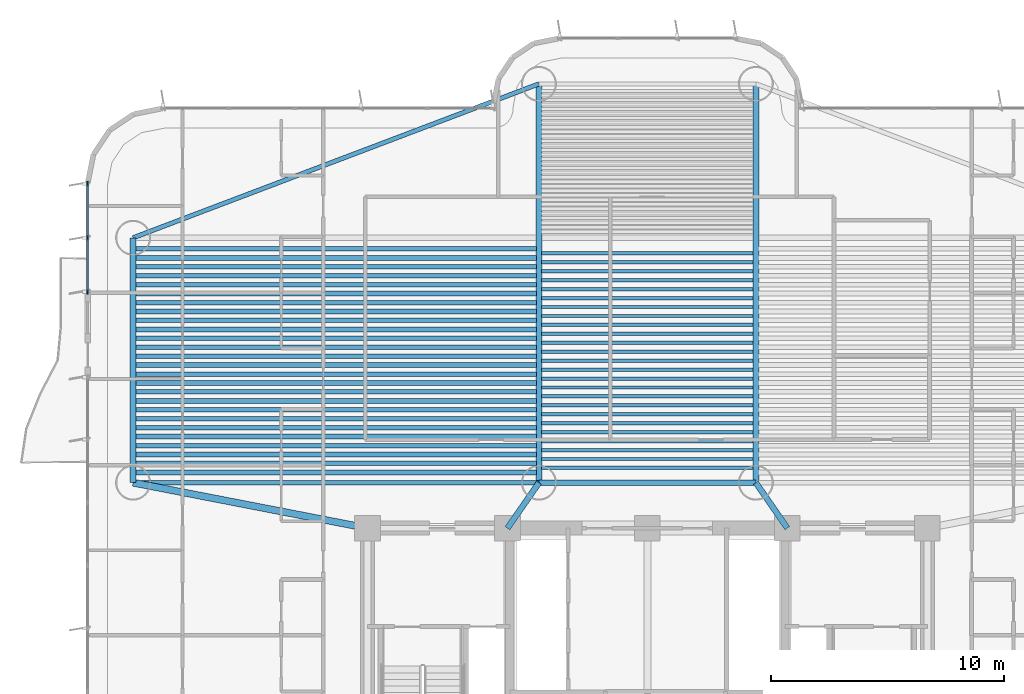
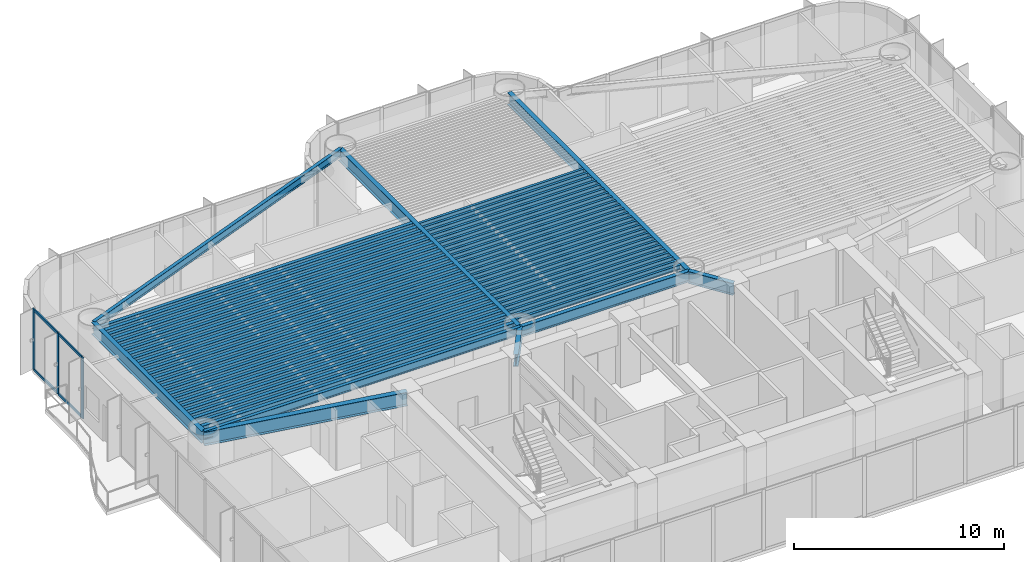
# One storey, part 3 of 19: 60 beams, 7 members, 1 element without a shape of its own.
"""IFC4 building model written with IfcOpenShell, lengths in metres."""

from ifc_helpers import new_model, si_unit, direction, frame, origin, origin_2d, place, context, subcontext, project, spatial, rectangle, i_section, extrude, source, transform, mapped, material, layer, layer_set, material_profile, profile_set, type_object, element, aggregate, save


model = new_model("IFC4")

# Units and contexts
model_context = context("Model", 3, precision=1e-05, world=origin(), true_north=direction((0.0, 1.0)))
body_context = subcontext(model_context, "Body", "Model", "MODEL_VIEW")
ifc_project = project(units=[si_unit("LENGTHUNIT", "METRE"), si_unit("AREAUNIT", "SQUARE_METRE"), si_unit("VOLUMEUNIT", "CUBIC_METRE"), si_unit("PLANEANGLEUNIT", "RADIAN"), si_unit("MASSUNIT", "GRAM", prefix="KILO")], contexts=[model_context])

# Site, building, storey
site_placement = place(None, origin())
site = spatial("IfcSite", under=ifc_project, at=site_placement, CompositionType="ELEMENT")
building_placement = place(site_placement, origin())
building = spatial("IfcBuilding", under=site, at=building_placement, Name="Brelvock Crest Care Tower", CompositionType="ELEMENT")
storey_placement = place(building_placement, frame((0.0, 0.0, 30.780029296875)))
storey = spatial("IfcBuildingStorey", under=building, at=storey_placement, Name="L07", CompositionType="ELEMENT", Elevation=30.780029296875)

# Beams
ifc_material_1 = material(Name="Steel Grade 350", Category="steel")
ifc_material_profile_1 = material_profile(ifc_material_1, i_section(OverallWidth=0.25, OverallDepth=0.699951171875, WebThickness=0.011962890625, FlangeThickness=0.02001953125, at=origin_2d()), Name="700WB150")
ifc_profile_set_1 = profile_set([ifc_material_profile_1], Name="Steel Grade 350")
beam_type_1 = type_object("IfcBeamType", Name="BM-G4", PredefinedType="BEAM", material=ifc_profile_set_1)
shared_shape_1 = source(origin(), body_context, "Body", "SweptSolid", [
    extrude(i_section(OverallWidth=0.25, OverallDepth=0.699951171875, WebThickness=0.011962890625, FlangeThickness=0.02001953125, at=origin_2d()), origin(), (0.0, 0.0, 1.0), 10.5),
])
beam_1_placement = place(storey_placement, frame((13.949951171875, 19.949951171875, 3.179931640625), z_axis=(0.0, 1.0, 0.0), x_axis=(-1.0, 0.0, 0.0)))
element("IfcBeam", 1, at=beam_1_placement, inside=storey, type_object=beam_type_1, Name="BM-TWR-L07-01", PredefinedType="BEAM", context=body_context, shape_type="MappedRepresentation", body=[
    mapped(shared_shape_1, transform((0.0, 0.0, 0.0), x_axis=(1.0, 0.0, 0.0), y_axis=(0.0, 1.0, 0.0), z_axis=(0.0, 0.0, 1.0), scale=1.0)),
])
ifc_material_profile_2 = material_profile(ifc_material_1, i_section(OverallWidth=0.19091796875, OverallDepth=0.4599609375, WebThickness=0.010009765625, FlangeThickness=0.01611328125, FilletRadius=0.011474609375, at=origin_2d()), Name="460UB82.1")
ifc_profile_set_2 = profile_set([ifc_material_profile_2], Name="Steel Grade 350")
beam_type_2 = type_object("IfcBeamType", Name="BM-SP2", PredefinedType="SPANDREL", material=ifc_profile_set_2)
shared_shape_2 = source(origin(), body_context, "Body", "SweptSolid", [
    extrude(i_section(OverallWidth=0.19091796875, OverallDepth=0.4599609375, WebThickness=0.010009765625, FlangeThickness=0.01611328125, FilletRadius=0.011474609375, at=origin_2d()), origin(), (0.0, 0.0, 1.0), 17.400146484375),
])
beam_2_placement = place(storey_placement, frame((13.949951171875, 19.949951171875, 3.300048828125), z_axis=(1.0, 0.0, 0.0), x_axis=(0.0, 1.0, 0.0)))
element("IfcBeam", 2, at=beam_2_placement, inside=storey, type_object=beam_type_2, Name="BM-TWR-L07-03", PredefinedType="SPANDREL", context=body_context, shape_type="MappedRepresentation", body=[
    mapped(shared_shape_2, transform((0.0, 0.0, 0.0), x_axis=(1.0, 0.0, 0.0), y_axis=(0.0, 1.0, 0.0), z_axis=(0.0, 0.0, 1.0), scale=1.0)),
])
ifc_material_profile_3 = material_profile(ifc_material_1, i_section(OverallWidth=0.22900390625, OverallDepth=0.612060546875, WebThickness=0.011962890625, FlangeThickness=0.01953125, FilletRadius=0.013916015625, at=origin_2d()), Name="610UB125")
ifc_profile_set_3 = profile_set([ifc_material_profile_3], Name="Steel Grade 350")
beam_type_3 = type_object("IfcBeamType", Name="BM-G1", PredefinedType="BEAM", material=ifc_profile_set_3)
shared_shape_3 = source(origin(), body_context, "Body", "SweptSolid", [
    extrude(i_section(OverallWidth=0.22900390625, OverallDepth=0.612060546875, WebThickness=0.011962890625, FlangeThickness=0.01953125, FilletRadius=0.013916015625, at=origin_2d()), origin(), (0.0, 0.0, 1.0), 9.2998046875),
])
beam_3_placement = place(storey_placement, frame((31.35009765625, 19.949951171875, 3.223876953125), z_axis=(1.0, 0.0, 0.0), x_axis=(0.0, 1.0, 0.0)))
element("IfcBeam", 3, at=beam_3_placement, inside=storey, type_object=beam_type_3, Name="BM-TWR-L07-05", PredefinedType="BEAM", context=body_context, shape_type="MappedRepresentation", body=[
    mapped(shared_shape_3, transform((0.0, 0.0, 0.0), x_axis=(1.0, 0.0, 0.0), y_axis=(0.0, 1.0, 0.0), z_axis=(0.0, 0.0, 1.0), scale=1.0)),
])
shared_shape_4 = source(origin(), body_context, "Body", "SweptSolid", [
    extrude(i_section(OverallWidth=0.19091796875, OverallDepth=0.4599609375, WebThickness=0.010009765625, FlangeThickness=0.01611328125, FilletRadius=0.011474609375, at=origin_2d()), origin(), (0.0, 0.0, 1.0), 18.60986328125),
])
beam_4_placement = place(storey_placement, frame((13.949951171875, 30.449951171875, 3.300048828125), z_axis=(0.934996776275, 0.3546562115, 0.0), x_axis=(-0.3546562115, 0.934996776275, 0.0)))
element("IfcBeam", 4, at=beam_4_placement, inside=storey, type_object=beam_type_2, Name="BM-TWR-L07-06", PredefinedType="SPANDREL", context=body_context, shape_type="MappedRepresentation", body=[
    mapped(shared_shape_4, transform((0.0, 0.0, 0.0), x_axis=(1.0, 0.0, 0.0), y_axis=(0.0, 1.0, 0.0), z_axis=(0.0, 0.0, 1.0), scale=1.0)),
])
shared_shape_5 = source(origin(), body_context, "Body", "SweptSolid", [
    extrude(i_section(OverallWidth=0.25, OverallDepth=0.699951171875, WebThickness=0.011962890625, FlangeThickness=0.02001953125, at=origin_2d()), origin(), (0.0, 0.0, 1.0), 17.10009765625),
])
for number, where, z_axis, x_axis, name in (
    (5, (31.35009765625, 19.949951171875, 3.179931640625), (0.0, 1.0, 0.0), (-1.0, 0.0, 0.0), "BM-TWR-L07-09"),
    (6, (40.64990234375, 19.949951171875, 3.179931640625), (0.0, 1.0, 0.0), (-1.0, 0.0, 0.0), "BM-TWR-L07-10"),
):
    element("IfcBeam", number, at=place(storey_placement, frame(where, z_axis=z_axis, x_axis=x_axis)), inside=storey, type_object=beam_type_1, Name=name, PredefinedType="BEAM", context=body_context, shape_type="MappedRepresentation", body=[
        mapped(shared_shape_5, transform((0.0, 0.0, 0.0), x_axis=(1.0, 0.0, 0.0), y_axis=(0.0, 1.0, 0.0), z_axis=(0.0, 0.0, 1.0), scale=1.0)),
    ])
shared_shape_6 = source(origin(), body_context, "Body", "SweptSolid", [
    extrude(i_section(OverallWidth=0.25, OverallDepth=0.699951171875, WebThickness=0.011962890625, FlangeThickness=0.02001953125, at=origin_2d()), origin(), (0.0, 0.0, 1.0), 2.371826171875),
])
for number, where, z_axis, x_axis, name in (
    (7, (30.0, 18.0, 3.179931640625), (0.569247447691, 0.8221662504, 0.0), (-0.8221662504, 0.569247447691, 0.0), "BM-THRW-L07"),
    (8, (42.0, 18.0, 3.179931640625), (-0.569247447691, 0.8221662504, 0.0), (-0.8221662504, -0.569247447691, 0.0), "BM-THRE-L07"),
):
    element("IfcBeam", number, at=place(storey_placement, frame(where, z_axis=z_axis, x_axis=x_axis)), inside=storey, type_object=beam_type_1, Name=name, PredefinedType="BEAM", context=body_context, shape_type="MappedRepresentation", body=[
        mapped(shared_shape_6, transform((0.0, 0.0, 0.0), x_axis=(1.0, 0.0, 0.0), y_axis=(0.0, 1.0, 0.0), z_axis=(0.0, 0.0, 1.0), scale=1.0)),
    ])
ifc_material_profile_4 = material_profile(ifc_material_1, i_section(OverallWidth=0.300048828125, OverallDepth=0.800048828125, WebThickness=0.013916015625, FlangeThickness=0.02197265625, at=origin_2d()), Name="800WB192")
ifc_profile_set_4 = profile_set([ifc_material_profile_4], Name="Steel Grade 350")
beam_type_4 = type_object("IfcBeamType", Name="BM-G5", PredefinedType="BEAM", material=ifc_profile_set_4)
shared_shape_7 = source(origin(), body_context, "Body", "SweptSolid", [
    extrude(i_section(OverallWidth=0.300048828125, OverallDepth=0.800048828125, WebThickness=0.013916015625, FlangeThickness=0.02197265625, at=origin_2d()), origin(), (0.0, 0.0, 1.0), 10.237548828125),
])
beam_5_placement = place(storey_placement, frame((24.0, 18.0, 3.1298828125), z_axis=(-0.981692632568, 0.190471979991, 0.0), x_axis=(-0.190471979991, -0.981692632568, 0.0)))
element("IfcBeam", 9, at=beam_5_placement, inside=storey, type_object=beam_type_4, Name="BM-THRO-W-L07", PredefinedType="BEAM", context=body_context, shape_type="MappedRepresentation", body=[
    mapped(shared_shape_7, transform((0.0, 0.0, 0.0), x_axis=(1.0, 0.0, 0.0), y_axis=(0.0, 1.0, 0.0), z_axis=(0.0, 0.0, 1.0), scale=1.0)),
])
ifc_material_profile_5 = material_profile(ifc_material_1, i_section(OverallWidth=0.208984375, OverallDepth=0.532958984375, WebThickness=0.01025390625, FlangeThickness=0.015625, FilletRadius=0.013916015625, at=origin_2d()), Name="530UB92.4")
ifc_profile_set_5 = profile_set([ifc_material_profile_5], Name="Steel Grade 350")
beam_type_5 = type_object("IfcBeamType", Name="BM-G2", PredefinedType="BEAM", material=ifc_profile_set_5)
shared_shape_8 = source(origin(), body_context, "Body", "SweptSolid", [
    extrude(i_section(OverallWidth=0.208984375, OverallDepth=0.532958984375, WebThickness=0.01025390625, FlangeThickness=0.015625, FilletRadius=0.013916015625, at=origin_2d()), origin(), (0.0, 0.0, 1.0), 17.170166015625),
])
for number, where, z_axis, x_axis, name in (
    (10, (14.06494140625, 20.39111328125, 3.263427734375), (1.0, 0.0, 0.0), (0.0, 1.0, 0.0), "BM-JW-L07-1"),
    (11, (14.06494140625, 21.157470703125, 3.263427734375), (1.0, 0.0, 0.0), (0.0, 1.0, 0.0), "BM-JW-L07-3"),
    (12, (14.06494140625, 21.924072265625, 3.263427734375), (1.0, 0.0, 0.0), (0.0, 1.0, 0.0), "BM-JW-L07-5"),
    (13, (14.06494140625, 22.6904296875, 3.263427734375), (1.0, 0.0, 0.0), (0.0, 1.0, 0.0), "BM-JW-L07-7"),
    (14, (14.06494140625, 23.45703125, 3.263427734375), (1.0, 0.0, 0.0), (0.0, 1.0, 0.0), "BM-JW-L07-9"),
    (15, (14.06494140625, 24.223388671875, 3.263427734375), (1.0, 0.0, 0.0), (0.0, 1.0, 0.0), "BM-JW-L07-11"),
    (16, (14.06494140625, 24.989990234375, 3.263427734375), (1.0, 0.0, 0.0), (0.0, 1.0, 0.0), "BM-JW-L07-13"),
    (17, (14.06494140625, 25.756591796875, 3.263427734375), (1.0, 0.0, 0.0), (0.0, 1.0, 0.0), "BM-JW-L07-15"),
    (18, (14.06494140625, 26.52294921875, 3.263427734375), (1.0, 0.0, 0.0), (0.0, 1.0, 0.0), "BM-JW-L07-17"),
    (19, (14.06494140625, 27.28955078125, 3.263427734375), (1.0, 0.0, 0.0), (0.0, 1.0, 0.0), "BM-JW-L07-19"),
    (20, (14.06494140625, 28.055908203125, 3.263427734375), (1.0, 0.0, 0.0), (0.0, 1.0, 0.0), "BM-JW-L07-21"),
    (21, (14.06494140625, 28.822509765625, 3.263427734375), (1.0, 0.0, 0.0), (0.0, 1.0, 0.0), "BM-JW-L07-23"),
    (22, (14.06494140625, 29.589111328125, 3.263427734375), (1.0, 0.0, 0.0), (0.0, 1.0, 0.0), "BM-JW-L07-25"),
):
    element("IfcBeam", number, at=place(storey_placement, frame(where, z_axis=z_axis, x_axis=x_axis)), inside=storey, type_object=beam_type_5, Name=name, PredefinedType="BEAM", context=body_context, shape_type="MappedRepresentation", body=[
        mapped(shared_shape_8, transform((0.0, 0.0, 0.0), x_axis=(1.0, 0.0, 0.0), y_axis=(0.0, 1.0, 0.0), z_axis=(0.0, 0.0, 1.0), scale=1.0)),
    ])
ifc_material_profile_6 = material_profile(ifc_material_1, i_section(OverallWidth=0.14599609375, OverallDepth=0.256103515625, WebThickness=0.00634765625, FlangeThickness=0.010986328125, FilletRadius=0.0087890625, at=origin_2d()), Name="250UB37.3")
ifc_profile_set_6 = profile_set([ifc_material_profile_6], Name="Steel Grade 350")
beam_type_6 = type_object("IfcBeamType", Name="BM-J3", PredefinedType="JOIST", material=ifc_profile_set_6)
shared_shape_9 = source(origin(), body_context, "Body", "SweptSolid", [
    extrude(i_section(OverallWidth=0.14599609375, OverallDepth=0.256103515625, WebThickness=0.00634765625, FlangeThickness=0.010986328125, FilletRadius=0.0087890625, at=origin_2d()), origin(), (0.0, 0.0, 1.0), 9.06982421875),
])
for number, where, z_axis, x_axis, name in (
    (23, (31.465087890625, 20.58251953125, 3.40185546875), (1.0, 0.0, 0.0), (0.0, 1.0, 0.0), "BM-JH-L07-1"),
    (24, (31.465087890625, 20.9658203125, 3.40185546875), (1.0, 0.0, 0.0), (0.0, 1.0, 0.0), "BM-JH-L07-2"),
    (25, (31.465087890625, 21.34912109375, 3.40185546875), (1.0, 0.0, 0.0), (0.0, 1.0, 0.0), "BM-JH-L07-3"),
    (26, (31.465087890625, 21.732421875, 3.40185546875), (1.0, 0.0, 0.0), (0.0, 1.0, 0.0), "BM-JH-L07-4"),
    (27, (31.465087890625, 22.115478515625, 3.40185546875), (1.0, 0.0, 0.0), (0.0, 1.0, 0.0), "BM-JH-L07-5"),
    (28, (31.465087890625, 22.498779296875, 3.40185546875), (1.0, 0.0, 0.0), (0.0, 1.0, 0.0), "BM-JH-L07-6"),
    (29, (31.465087890625, 22.882080078125, 3.40185546875), (1.0, 0.0, 0.0), (0.0, 1.0, 0.0), "BM-JH-L07-7"),
    (30, (31.465087890625, 23.265380859375, 3.40185546875), (1.0, 0.0, 0.0), (0.0, 1.0, 0.0), "BM-JH-L07-8"),
    (31, (31.465087890625, 23.648681640625, 3.40185546875), (1.0, 0.0, 0.0), (0.0, 1.0, 0.0), "BM-JH-L07-9"),
    (32, (31.465087890625, 24.03173828125, 3.40185546875), (1.0, 0.0, 0.0), (0.0, 1.0, 0.0), "BM-JH-L07-10"),
    (33, (31.465087890625, 24.4150390625, 3.40185546875), (1.0, 0.0, 0.0), (0.0, 1.0, 0.0), "BM-JH-L07-11"),
    (34, (31.465087890625, 24.79833984375, 3.40185546875), (1.0, 0.0, 0.0), (0.0, 1.0, 0.0), "BM-JH-L07-12"),
    (35, (31.465087890625, 25.181640625, 3.40185546875), (1.0, 0.0, 0.0), (0.0, 1.0, 0.0), "BM-JH-L07-13"),
    (36, (31.465087890625, 25.564697265625, 3.40185546875), (1.0, 0.0, 0.0), (0.0, 1.0, 0.0), "BM-JH-L07-14"),
    (37, (31.465087890625, 25.947998046875, 3.40185546875), (1.0, 0.0, 0.0), (0.0, 1.0, 0.0), "BM-JH-L07-15"),
    (38, (31.465087890625, 26.331298828125, 3.40185546875), (1.0, 0.0, 0.0), (0.0, 1.0, 0.0), "BM-JH-L07-16"),
    (39, (31.465087890625, 26.714599609375, 3.40185546875), (1.0, 0.0, 0.0), (0.0, 1.0, 0.0), "BM-JH-L07-17"),
    (40, (31.465087890625, 27.097900390625, 3.40185546875), (1.0, 0.0, 0.0), (0.0, 1.0, 0.0), "BM-JH-L07-18"),
    (41, (31.465087890625, 27.481201171875, 3.40185546875), (1.0, 0.0, 0.0), (0.0, 1.0, 0.0), "BM-JH-L07-19"),
    (42, (31.465087890625, 27.864501953125, 3.40185546875), (1.0, 0.0, 0.0), (0.0, 1.0, 0.0), "BM-JH-L07-20"),
    (43, (31.465087890625, 28.24755859375, 3.40185546875), (1.0, 0.0, 0.0), (0.0, 1.0, 0.0), "BM-JH-L07-21"),
    (44, (31.465087890625, 28.630859375, 3.40185546875), (1.0, 0.0, 0.0), (0.0, 1.0, 0.0), "BM-JH-L07-22"),
    (45, (31.465087890625, 29.01416015625, 3.40185546875), (1.0, 0.0, 0.0), (0.0, 1.0, 0.0), "BM-JH-L07-23"),
    (46, (31.465087890625, 29.397216796875, 3.40185546875), (1.0, 0.0, 0.0), (0.0, 1.0, 0.0), "BM-JH-L07-24"),
    (47, (31.465087890625, 29.780517578125, 3.40185546875), (1.0, 0.0, 0.0), (0.0, 1.0, 0.0), "BM-JH-L07-25"),
):
    element("IfcBeam", number, at=place(storey_placement, frame(where, z_axis=z_axis, x_axis=x_axis)), inside=storey, type_object=beam_type_6, Name=name, PredefinedType="JOIST", context=body_context, shape_type="MappedRepresentation", body=[
        mapped(shared_shape_9, transform((0.0, 0.0, 0.0), x_axis=(1.0, 0.0, 0.0), y_axis=(0.0, 1.0, 0.0), z_axis=(0.0, 0.0, 1.0), scale=1.0)),
    ])
ifc_material_profile_7 = material_profile(ifc_material_1, i_section(OverallWidth=0.19091796875, OverallDepth=0.4599609375, WebThickness=0.010009765625, FlangeThickness=0.01611328125, FilletRadius=0.011474609375, at=origin_2d()), Name="460UB82.1")
ifc_profile_set_7 = profile_set([ifc_material_profile_7], Name="Steel Grade 350")
beam_type_7 = type_object("IfcBeamType", Name="BM-G3", PredefinedType="BEAM", material=ifc_profile_set_7)
shared_shape_10 = source(origin(), body_context, "Body", "SweptSolid", [
    extrude(i_section(OverallWidth=0.19091796875, OverallDepth=0.4599609375, WebThickness=0.010009765625, FlangeThickness=0.01611328125, FilletRadius=0.011474609375, at=origin_2d()), origin(), (0.0, 0.0, 1.0), 17.170166015625),
])
for number, where, z_axis, x_axis, name in (
    (48, (14.06494140625, 20.774169921875, 3.300048828125), (1.0, 0.0, 0.0), (0.0, 1.0, 0.0), "BM-JW-L07-2"),
    (49, (14.06494140625, 21.540771484375, 3.300048828125), (1.0, 0.0, 0.0), (0.0, 1.0, 0.0), "BM-JW-L07-4"),
    (50, (14.06494140625, 22.30712890625, 3.300048828125), (1.0, 0.0, 0.0), (0.0, 1.0, 0.0), "BM-JW-L07-6"),
    (51, (14.06494140625, 23.07373046875, 3.300048828125), (1.0, 0.0, 0.0), (0.0, 1.0, 0.0), "BM-JW-L07-8"),
    (52, (14.06494140625, 23.840087890625, 3.300048828125), (1.0, 0.0, 0.0), (0.0, 1.0, 0.0), "BM-JW-L07-10"),
    (53, (14.06494140625, 24.606689453125, 3.300048828125), (1.0, 0.0, 0.0), (0.0, 1.0, 0.0), "BM-JW-L07-12"),
    (54, (14.06494140625, 25.373291015625, 3.300048828125), (1.0, 0.0, 0.0), (0.0, 1.0, 0.0), "BM-JW-L07-14"),
    (55, (14.06494140625, 26.1396484375, 3.300048828125), (1.0, 0.0, 0.0), (0.0, 1.0, 0.0), "BM-JW-L07-16"),
    (56, (14.06494140625, 26.90625, 3.300048828125), (1.0, 0.0, 0.0), (0.0, 1.0, 0.0), "BM-JW-L07-18"),
    (57, (14.06494140625, 27.6728515625, 3.300048828125), (1.0, 0.0, 0.0), (0.0, 1.0, 0.0), "BM-JW-L07-20"),
    (58, (14.06494140625, 28.439208984375, 3.300048828125), (1.0, 0.0, 0.0), (0.0, 1.0, 0.0), "BM-JW-L07-22"),
    (59, (14.06494140625, 29.205810546875, 3.300048828125), (1.0, 0.0, 0.0), (0.0, 1.0, 0.0), "BM-JW-L07-24"),
    (60, (14.06494140625, 29.97216796875, 3.300048828125), (1.0, 0.0, 0.0), (0.0, 1.0, 0.0), "BM-JW-L07-26"),
):
    element("IfcBeam", number, at=place(storey_placement, frame(where, z_axis=z_axis, x_axis=x_axis)), inside=storey, type_object=beam_type_7, Name=name, PredefinedType="BEAM", context=body_context, shape_type="MappedRepresentation", body=[
        mapped(shared_shape_10, transform((0.0, 0.0, 0.0), x_axis=(1.0, 0.0, 0.0), y_axis=(0.0, 1.0, 0.0), z_axis=(0.0, 0.0, 1.0), scale=1.0)),
    ])

# Curtain wall, members
ifc_material_2 = material(Name="Dark Glass Double Glazed Low-E", Category="glass")
ifc_layer = layer(ifc_material_2, 0.195068359375, Name="CWS-2")
ifc_layer_set = layer_set([ifc_layer], Name="Dark Glass Double Glazed Low-E")
curtain_wall_type = type_object("IfcCurtainWallType", Name="CWS-2", PredefinedType="NOTDEFINED", material=ifc_layer_set)
curtain_wall_placement = place(storey_placement, origin())
curtain_wall = element("IfcCurtainWall", 61, at=curtain_wall_placement, inside=storey, type_object=curtain_wall_type, Name="L07 Curtain Wall E13B", PredefinedType="NOTDEFINED")
ifc_material_3 = material(Name="Aluminium 6063-T6", Category="aluminium")
ifc_material_profile_8 = material_profile(ifc_material_3, rectangle(XDim=0.06494140625, YDim=0.199951171875, at=origin_2d()), Name="ALU65x200")
ifc_profile_set_8 = profile_set([ifc_material_profile_8], Name="Aluminium 6063-T6")
member_type_1 = type_object("IfcMemberType", Name="CWM-1", PredefinedType="MULLION", material=ifc_profile_set_8)
shared_shape_11 = source(origin(), body_context, "Body", "SweptSolid", [
    extrude(rectangle(XDim=0.06494140625, YDim=0.199951171875, at=origin_2d()), origin(), (0.0, 0.0, 1.0), 3.530029296875),
])
member_1_placement = place(storey_placement, frame((12.0, 28.132568359375, 0.0), z_axis=(0.0, 0.0, 1.0), x_axis=(-1.0, 0.0, 0.0)))
member_1 = element("IfcMember", 62, at=member_1_placement, type_object=member_type_1, Name="CW-2 mullion 1", PredefinedType="MULLION", context=body_context, shape_type="MappedRepresentation", body=[
    mapped(shared_shape_11, transform((0.0, 0.0, 0.0), x_axis=(1.0, 0.0, 0.0), y_axis=(0.0, 1.0, 0.0), z_axis=(0.0, 0.0, 1.0), scale=1.0)),
])
member_2_placement = place(storey_placement, frame((12.0, 30.449951171875, 0.0), z_axis=(0.0, 0.0, 1.0), x_axis=(-1.0, 0.0, 0.0)))
member_2 = element("IfcMember", 63, at=member_2_placement, type_object=member_type_1, Name="CW-2 mullion 2", PredefinedType="MULLION", context=body_context, shape_type="MappedRepresentation", body=[
    mapped(shared_shape_11, transform((0.0, 0.0, 0.0), x_axis=(1.0, 0.0, 0.0), y_axis=(0.0, 1.0, 0.0), z_axis=(0.0, 0.0, 1.0), scale=1.0)),
])
member_3_placement = place(storey_placement, frame((12.0, 32.767578125, 0.0), z_axis=(0.0, 0.0, 1.0), x_axis=(-1.0, 0.0, 0.0)))
member_3 = element("IfcMember", 64, at=member_3_placement, type_object=member_type_1, Name="CW-2 mullion 3", PredefinedType="MULLION", context=body_context, shape_type="MappedRepresentation", body=[
    mapped(shared_shape_11, transform((0.0, 0.0, 0.0), x_axis=(1.0, 0.0, 0.0), y_axis=(0.0, 1.0, 0.0), z_axis=(0.0, 0.0, 1.0), scale=1.0)),
])
ifc_material_profile_9 = material_profile(ifc_material_3, rectangle(XDim=0.06494140625, YDim=0.14990234375, at=origin_2d()), Name="ALU65x150")
ifc_profile_set_9 = profile_set([ifc_material_profile_9], Name="Aluminium 6063-T6")
member_type_2 = type_object("IfcMemberType", Name="CWT-1", PredefinedType="USERDEFINED", material=ifc_profile_set_9)
shared_shape_12 = source(origin(), body_context, "Body", "SweptSolid", [
    extrude(rectangle(XDim=0.06494140625, YDim=0.14990234375, at=origin_2d()), origin(), (0.0, 0.0, 1.0), 2.252685546875),
])
member_4_placement = place(storey_placement, frame((12.0, 30.482421875, 0.032470703125), z_axis=(0.0, 1.0, 0.0), x_axis=(-1.0, 0.0, 0.0)))
member_4 = element("IfcMember", 65, at=member_4_placement, type_object=member_type_2, Name="CW-2 transom 2.1", ObjectType="TRANSOM", PredefinedType="USERDEFINED", context=body_context, shape_type="MappedRepresentation", body=[
    mapped(shared_shape_12, transform((0.0, 0.0, 0.0), x_axis=(1.0, 0.0, 0.0), y_axis=(0.0, 1.0, 0.0), z_axis=(0.0, 0.0, 1.0), scale=1.0)),
])
member_5_placement = place(storey_placement, frame((12.0, 30.482421875, 3.49755859375), z_axis=(0.0, 1.0, 0.0), x_axis=(-1.0, 0.0, 0.0)))
member_5 = element("IfcMember", 66, at=member_5_placement, type_object=member_type_2, Name="CW-2 transom 2.2", ObjectType="TRANSOM", PredefinedType="USERDEFINED", context=body_context, shape_type="MappedRepresentation", body=[
    mapped(shared_shape_12, transform((0.0, 0.0, 0.0), x_axis=(1.0, 0.0, 0.0), y_axis=(0.0, 1.0, 0.0), z_axis=(0.0, 0.0, 1.0), scale=1.0)),
])
shared_shape_13 = source(origin(), body_context, "Body", "SweptSolid", [
    extrude(rectangle(XDim=0.06494140625, YDim=0.14990234375, at=origin_2d()), origin(), (0.0, 0.0, 1.0), 2.25244140625),
])
member_6_placement = place(storey_placement, frame((12.0, 28.1650390625, 0.032470703125), z_axis=(0.0, 1.0, 0.0), x_axis=(-1.0, 0.0, 0.0)))
member_6 = element("IfcMember", 67, at=member_6_placement, type_object=member_type_2, Name="CW-2 transom 1.1", ObjectType="TRANSOM", PredefinedType="USERDEFINED", context=body_context, shape_type="MappedRepresentation", body=[
    mapped(shared_shape_13, transform((0.0, 0.0, 0.0), x_axis=(1.0, 0.0, 0.0), y_axis=(0.0, 1.0, 0.0), z_axis=(0.0, 0.0, 1.0), scale=1.0)),
])
member_7_placement = place(storey_placement, frame((12.0, 28.1650390625, 3.49755859375), z_axis=(0.0, 1.0, 0.0), x_axis=(-1.0, 0.0, 0.0)))
member_7 = element("IfcMember", 68, at=member_7_placement, type_object=member_type_2, Name="CW-2 transom 1.2", ObjectType="TRANSOM", PredefinedType="USERDEFINED", context=body_context, shape_type="MappedRepresentation", body=[
    mapped(shared_shape_13, transform((0.0, 0.0, 0.0), x_axis=(1.0, 0.0, 0.0), y_axis=(0.0, 1.0, 0.0), z_axis=(0.0, 0.0, 1.0), scale=1.0)),
])
aggregate(curtain_wall, [member_1, member_2, member_3, member_6, member_7, member_4, member_5])

save(model, "model.ifc")
